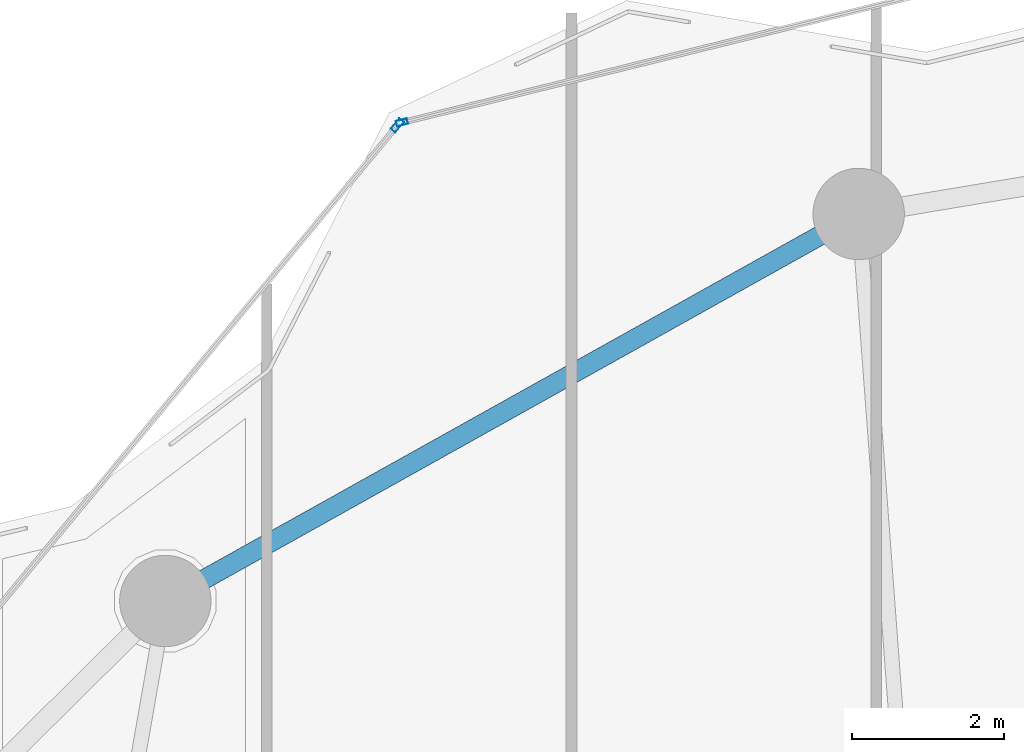
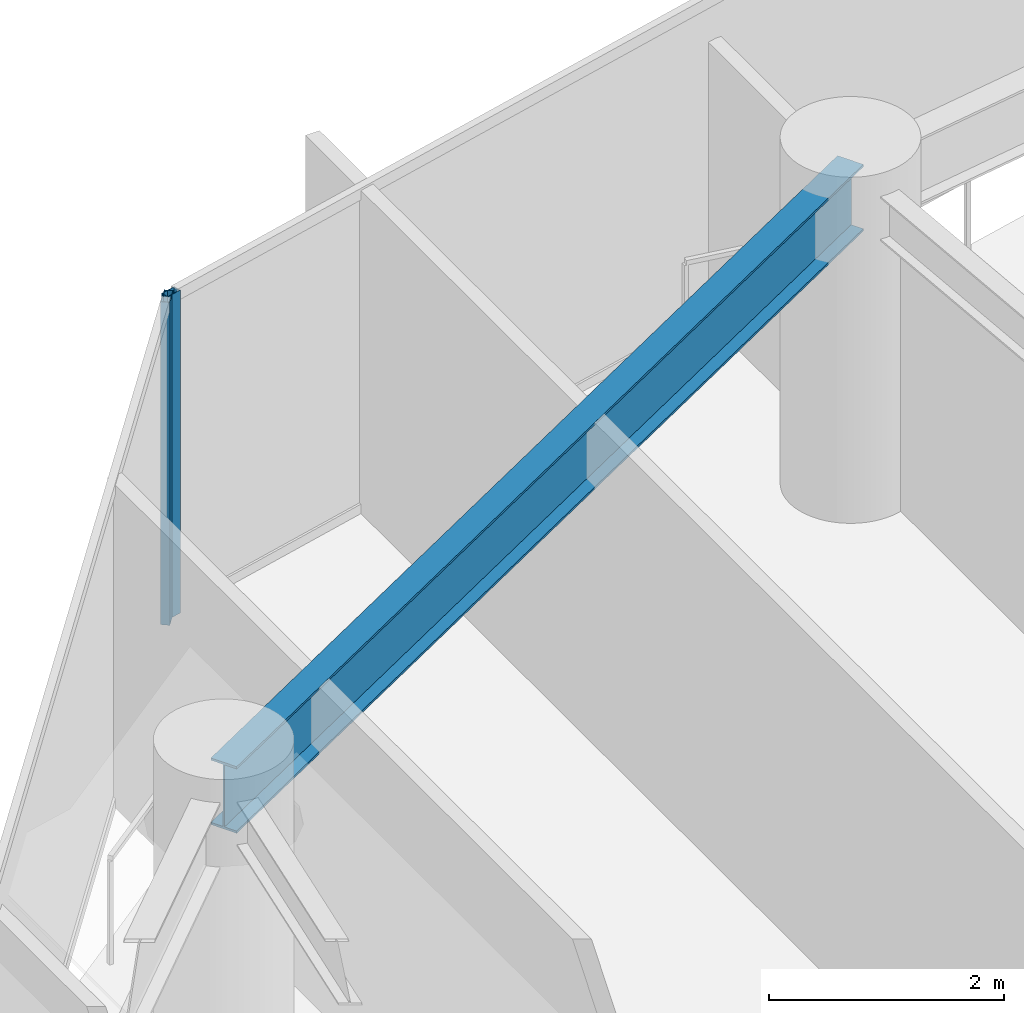
# One storey, part 17 of 28: 2 members, 1 beam, 2 elements without a shape of their own.
"""IFC4 building model written with IfcOpenShell, lengths in metres."""

from ifc_helpers import new_model, si_unit, direction, frame, origin, origin_2d, place, context, subcontext, project, spatial, hollow_rectangle, i_section, extrude, material, layer, layer_set, material_profile, profile_set, type_object, element, aggregate, save


model = new_model("IFC4")

# Units and contexts
model_context = context("Model", 3, precision=1e-05, world=origin(), true_north=direction((0.0, 1.0)))
body_context = subcontext(model_context, "Body", "Model", "MODEL_VIEW")
ifc_project = project(units=[si_unit("LENGTHUNIT", "METRE"), si_unit("AREAUNIT", "SQUARE_METRE"), si_unit("VOLUMEUNIT", "CUBIC_METRE"), si_unit("PLANEANGLEUNIT", "RADIAN"), si_unit("MASSUNIT", "GRAM", prefix="KILO")], contexts=[model_context])

# Site, building, storey
site_placement = place(None, origin())
site = spatial("IfcSite", under=ifc_project, at=site_placement, CompositionType="ELEMENT")
building_placement = place(site_placement, origin())
building = spatial("IfcBuilding", under=site, at=building_placement, Name="Kazevale Care Tower and Concert Hall", CompositionType="ELEMENT")
storey_placement = place(building_placement, frame((0.0, 0.0, 142.199951171875)))
storey = spatial("IfcBuildingStorey", under=building, at=storey_placement, Name="L37", CompositionType="ELEMENT", Elevation=142.199951171875)

# Curtain wall, member
ifc_material_1 = material(Name="Aluminium 6063-T6 and Low-E Glass", Category="aluminium")
ifc_layer_1 = layer(ifc_material_1, 0.179931640625)
ifc_layer_set_1 = layer_set([ifc_layer_1], Name="Aluminium 6063-T6 and Low-E Glass")
curtain_wall_type_1 = type_object("IfcCurtainWallType", Name="Convex Checkerboard Finned Curtain Wall CW-2", PredefinedType="NOTDEFINED", material=ifc_layer_set_1)
curtain_wall_1_placement = place(storey_placement, origin())
curtain_wall_1 = element("IfcCurtainWall", 1, at=curtain_wall_1_placement, inside=storey, type_object=curtain_wall_type_1, Name="cw:L37:f14", PredefinedType="NOTDEFINED")
ifc_material_2 = material(Name="Aluminium 6063-T6", Category="aluminium")
ifc_material_profile_1 = material_profile(ifc_material_2, hollow_rectangle(XDim=0.080078125, YDim=0.179931640625, WallThickness=0.0048828125, at=origin_2d()), Name="ALU80x180x5")
ifc_profile_set_1 = profile_set([ifc_material_profile_1], Name="Aluminium 6063-T6")
member_type_1 = type_object("IfcMemberType", Name="CW-2 Mullion ALU80x180x5", PredefinedType="MULLION", material=ifc_profile_set_1)
member_1_placement = place(storey_placement, frame((28.214599609375, 60.8212890625, 0.0), z_axis=(0.0, 0.0, 1.0), x_axis=(-0.770049579196, 0.637984048061, 0.0)))
member_1 = element("IfcMember", 2, at=member_1_placement, type_object=member_type_1, Name="CW-2 mullion 2", PredefinedType="MULLION", context=body_context, shape_type="SweptSolid", body=[
    extrude(hollow_rectangle(XDim=0.080078125, YDim=0.179931640625, WallThickness=0.0048828125, at=origin_2d()), origin(), (0.0, 0.0, 1.0), 3.360107421875),
])
aggregate(curtain_wall_1, [member_1])

ifc_layer_2 = layer(ifc_material_1, 0.179931640625)
ifc_layer_set_2 = layer_set([ifc_layer_2], Name="Aluminium 6063-T6 and Low-E Glass")
curtain_wall_type_2 = type_object("IfcCurtainWallType", Name="Convex Recessed Sunroom Curtain Wall CW-3", PredefinedType="NOTDEFINED", material=ifc_layer_set_2)
curtain_wall_2_placement = place(storey_placement, origin())
curtain_wall_2 = element("IfcCurtainWall", 3, at=curtain_wall_2_placement, inside=storey, type_object=curtain_wall_type_2, Name="cw:L37:f15", PredefinedType="NOTDEFINED")
ifc_material_profile_2 = material_profile(ifc_material_2, hollow_rectangle(XDim=0.074951171875, YDim=0.14990234375, WallThickness=0.00390625, at=origin_2d()), Name="ALU75x150x4")
ifc_profile_set_2 = profile_set([ifc_material_profile_2], Name="Aluminium 6063-T6")
member_type_2 = type_object("IfcMemberType", Name="CW-3 Mullion ALU75x150x4", PredefinedType="MULLION", material=ifc_profile_set_2)
member_2_placement = place(storey_placement, frame((28.2763671875, 60.861083984375, 0.0), z_axis=(0.0, 0.0, 1.0), x_axis=(-0.239088999495, 0.970997657217, 0.0)))
member_2 = element("IfcMember", 4, at=member_2_placement, type_object=member_type_2, Name="CW-3 mullion 1", PredefinedType="MULLION", context=body_context, shape_type="SweptSolid", body=[
    extrude(hollow_rectangle(XDim=0.074951171875, YDim=0.14990234375, WallThickness=0.00390625, at=origin_2d()), origin(), (0.0, 0.0, 1.0), 3.360107421875),
])
aggregate(curtain_wall_2, [member_2])

# Beam
ifc_material_3 = material(Name="Steel ASTM A572 Gr 50", Category="steel")
ifc_material_profile_3 = material_profile(ifc_material_3, i_section(OverallWidth=0.256103515625, OverallDepth=0.693115234375, WebThickness=0.014404296875, FlangeThickness=0.023681640625, at=origin_2d()), Name="W690x170")
ifc_profile_set_3 = profile_set([ifc_material_profile_3], Name="Steel ASTM A572 Gr 50")
beam_type = type_object("IfcBeamType", Name="Waist Ring Beam W690x170", PredefinedType="BEAM", material=ifc_profile_set_3)
beam_placement = place(storey_placement, frame((34.27001953125, 59.659912109375, 3.013427734375), z_axis=(-0.873168720251, -0.487418081297, 0.0), x_axis=(0.487418081297, -0.873168720251, 0.0)))
element("IfcBeam", 5, at=beam_placement, inside=storey, type_object=beam_type, Name="beam:L37:ring:06", PredefinedType="BEAM", context=body_context, shape_type="SweptSolid", body=[
    extrude(i_section(OverallWidth=0.256103515625, OverallDepth=0.693115234375, WebThickness=0.014404296875, FlangeThickness=0.023681640625, at=origin_2d()), origin(), (0.0, 0.0, 1.0), 10.421875),
])

save(model, "model.ifc")
